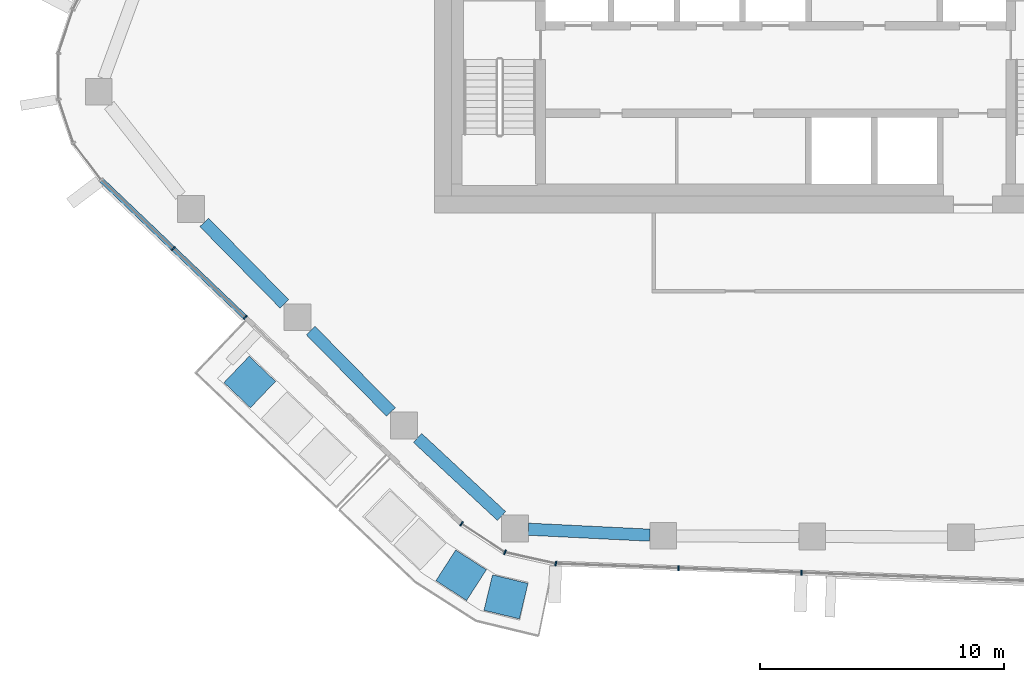
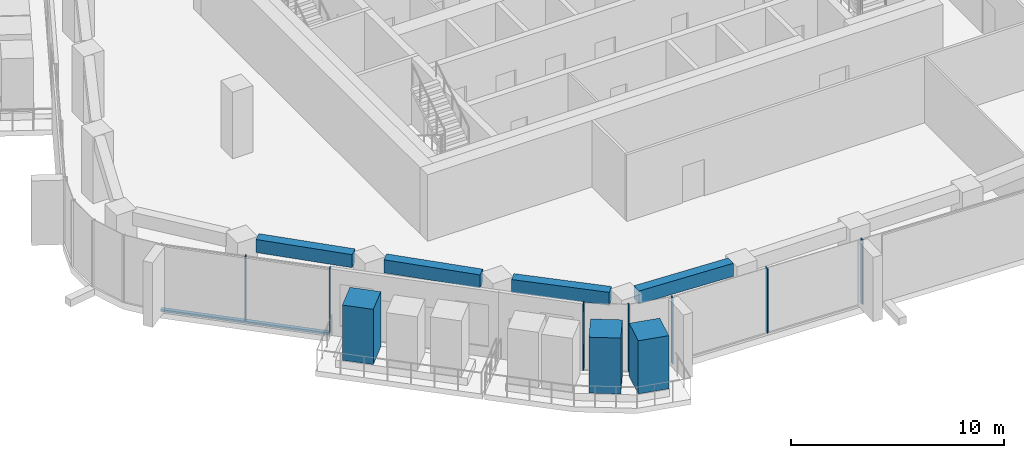
# One storey, part 2 of 21: 11 members, 4 beams, 3 elements without a shape of their own.
"""IFC4 building model written with IfcOpenShell, lengths in metres."""

from ifc_helpers import new_model, si_unit, direction, frame, origin, origin_2d, place, context, subcontext, project, spatial, rectangle, extrude, material, layer, layer_set, material_profile, profile_set, type_object, element, aggregate, save


model = new_model("IFC4")

# Units and contexts
model_context = context("Model", 3, precision=1e-05, world=origin(), true_north=direction((0.0, 1.0)))
body_context = subcontext(model_context, "Body", "Model", "MODEL_VIEW")
ifc_project = project(units=[si_unit("LENGTHUNIT", "METRE"), si_unit("AREAUNIT", "SQUARE_METRE"), si_unit("VOLUMEUNIT", "CUBIC_METRE"), si_unit("PLANEANGLEUNIT", "RADIAN"), si_unit("MASSUNIT", "GRAM", prefix="KILO")], contexts=[model_context])

# Site, building, storey
site_placement = place(None, origin())
site = spatial("IfcSite", under=ifc_project, at=site_placement, CompositionType="ELEMENT")
building_placement = place(site_placement, origin())
building = spatial("IfcBuilding", under=site, at=building_placement, Name="Dongbaek Canopy Tower", CompositionType="ELEMENT")
storey_placement = place(building_placement, frame((0.0, 0.0, 270.60009765625)))
storey = spatial("IfcBuildingStorey", under=building, at=storey_placement, Name="L57", CompositionType="ELEMENT", Elevation=270.60009765625)

# Curtain wall, members
ifc_material_1 = material(Name="Aluminium 6063-T6 pale anodised", Category="aluminium")
ifc_layer = layer(ifc_material_1, 0.199951171875)
ifc_layer_set = layer_set([ifc_layer], Name="CW-1 unitised tower curtain wall")
curtain_wall_type = type_object("IfcCurtainWallType", Name="CW-1 unitised tower curtain wall", PredefinedType="NOTDEFINED", material=ifc_layer_set)
curtain_wall_1_placement = place(storey_placement, origin())
curtain_wall_1 = element("IfcCurtainWall", 1, at=curtain_wall_1_placement, inside=storey, type_object=curtain_wall_type, Name="CW-1 curtain wall F3.1", PredefinedType="NOTDEFINED")
ifc_material_2 = material(Name="Aluminium 6063-T6 pale anodised", Category="aluminium")
ifc_material_profile_1 = material_profile(ifc_material_2, rectangle(XDim=0.199951171875, YDim=0.06005859375, at=origin_2d()), Name="CW-1 mullion 60 x 200")
ifc_profile_set_1 = profile_set([ifc_material_profile_1], Name="Aluminium 6063-T6 pale anodised")
member_type_1 = type_object("IfcMemberType", Name="CW-1 mullion 60 x 200", PredefinedType="MULLION", material=ifc_profile_set_1)
member_1_placement = place(storey_placement, frame((-24.727294921875, -12.45458984375, 0.119873046875), z_axis=(0.0, 0.0, 1.0), x_axis=(-0.690481624386, -0.723349933562, 0.0)))
member_1 = element("IfcMember", 2, at=member_1_placement, type_object=member_type_1, Name="CW-1 mullion F3.1.2", PredefinedType="MULLION", context=body_context, shape_type="SweptSolid", body=[
    extrude(rectangle(XDim=0.199951171875, YDim=0.06005859375, at=origin_2d()), origin(), (0.0, 0.0, 1.0), 3.699951171875),
])
member_2_placement = place(storey_placement, frame((-21.767333984375, -15.2802734375, 0.119873046875), z_axis=(0.0, 0.0, 1.0), x_axis=(-0.690481624386, -0.723349933562, 0.0)))
member_2 = element("IfcMember", 3, at=member_2_placement, type_object=member_type_1, Name="CW-1 mullion F3.1.3", PredefinedType="MULLION", context=body_context, shape_type="SweptSolid", body=[
    extrude(rectangle(XDim=0.199951171875, YDim=0.06005859375, at=origin_2d()), origin(), (0.0, 0.0, 1.0), 3.699951171875),
])

curtain_wall_2_placement = place(storey_placement, origin())
curtain_wall_2 = element("IfcCurtainWall", 4, at=curtain_wall_2_placement, inside=storey, type_object=curtain_wall_type, Name="CW-1 curtain wall K4.1", PredefinedType="NOTDEFINED")
member_3_placement = place(storey_placement, frame((-12.8935546875, -23.750732421875, 0.0), z_axis=(0.0, 0.0, 1.0), x_axis=(-0.548723498624, -0.836003900743, 0.0)))
member_3 = element("IfcMember", 5, at=member_3_placement, type_object=member_type_1, Name="CW-1 mullion K4.1.1", PredefinedType="MULLION", context=body_context, shape_type="SweptSolid", body=[
    extrude(rectangle(XDim=0.199951171875, YDim=0.06005859375, at=origin_2d()), origin(), (0.0, 0.0, 1.0), 3.81982421875),
])
member_4_placement = place(storey_placement, frame((-11.107421875, -24.923095703125, 0.0), z_axis=(0.0, 0.0, 1.0), x_axis=(-0.388974769199, -0.921248407828, 0.0)))
member_4 = element("IfcMember", 6, at=member_4_placement, type_object=member_type_1, Name="CW-1 mullion K4.1.2", PredefinedType="MULLION", context=body_context, shape_type="SweptSolid", body=[
    extrude(rectangle(XDim=0.199951171875, YDim=0.06005859375, at=origin_2d()), origin(), (0.0, 0.0, 1.0), 3.81982421875),
])
member_5_placement = place(storey_placement, frame((-9.021484375, -25.385498046875, 0.0), z_axis=(0.0, 0.0, 1.0), x_axis=(-0.216473003073, -0.976288604328, 0.0)))
member_5 = element("IfcMember", 7, at=member_5_placement, type_object=member_type_1, Name="CW-1 mullion K4.1.3", PredefinedType="MULLION", context=body_context, shape_type="SweptSolid", body=[
    extrude(rectangle(XDim=0.199951171875, YDim=0.06005859375, at=origin_2d()), origin(), (0.0, 0.0, 1.0), 3.81982421875),
])
aggregate(curtain_wall_2, [member_3, member_4, member_5])

curtain_wall_3_placement = place(storey_placement, origin())
curtain_wall_3 = element("IfcCurtainWall", 8, at=curtain_wall_3_placement, inside=storey, type_object=curtain_wall_type, Name="CW-1 curtain wall F4.1", PredefinedType="NOTDEFINED")
member_6_placement = place(storey_placement, frame((-3.981689453125, -25.571533203125, 0.119873046875), z_axis=(0.0, 0.0, 1.0), x_axis=(-0.036873891921, -0.999319926798, 0.0)))
member_6 = element("IfcMember", 9, at=member_6_placement, type_object=member_type_1, Name="CW-1 mullion F4.1.2", PredefinedType="MULLION", context=body_context, shape_type="SweptSolid", body=[
    extrude(rectangle(XDim=0.199951171875, YDim=0.06005859375, at=origin_2d()), origin(), (0.0, 0.0, 1.0), 3.699951171875),
])
member_7_placement = place(storey_placement, frame((1.067138671875, -25.7578125, 0.119873046875), z_axis=(0.0, 0.0, 1.0), x_axis=(-0.036873891921, -0.999319926798, 0.0)))
member_7 = element("IfcMember", 10, at=member_7_placement, type_object=member_type_1, Name="CW-1 mullion F4.1.3", PredefinedType="MULLION", context=body_context, shape_type="SweptSolid", body=[
    extrude(rectangle(XDim=0.199951171875, YDim=0.06005859375, at=origin_2d()), origin(), (0.0, 0.0, 1.0), 3.699951171875),
])
aggregate(curtain_wall_3, [member_6, member_7])

# Member
ifc_material_3 = material(Name="Aluminium 6063-T6 pale anodised", Category="aluminium")
ifc_material_profile_2 = material_profile(ifc_material_3, rectangle(XDim=0.199951171875, YDim=0.1201171875, at=origin_2d()), Name="CW-1 transom 120 x 200")
ifc_profile_set_2 = profile_set([ifc_material_profile_2], Name="Aluminium 6063-T6 pale anodised")
member_type_2 = type_object("IfcMemberType", Name="CW-1 transom 120 x 200", PredefinedType="USERDEFINED", material=ifc_profile_set_2)
member_8_placement = place(storey_placement, frame((-27.681640625, -9.634521484375, 0.059814453125), z_axis=(0.723338596824, -0.690493500581, 0.0), x_axis=(0.690493500581, 0.723338596824, 0.0)))
member_8 = element("IfcMember", 11, at=member_8_placement, type_object=member_type_2, Name="CW-1 transom F3.1.1", ObjectType="TRANSOM", PredefinedType="USERDEFINED", context=body_context, shape_type="SweptSolid", body=[
    extrude(rectangle(XDim=0.199951171875, YDim=0.1201171875, at=origin_2d()), origin(), (0.0, 0.0, 1.0), 8.176513671875),
])

aggregate(curtain_wall_1, [member_1, member_2, member_8])

# Beams
ifc_material_4 = material(Name="Concrete C70", Category="concrete")
ifc_material_profile_3 = material_profile(ifc_material_4, rectangle(XDim=0.5, YDim=0.75, at=origin_2d()), Name="RC EDGE BEAM 500x750 C70")
ifc_profile_set_3 = profile_set([ifc_material_profile_3], Name="Concrete C70")
beam_type = type_object("IfcBeamType", Name="RC EDGE BEAM 500x750 C70", PredefinedType="BEAM", material=ifc_profile_set_3)
beam_1_placement = place(storey_placement, frame((-5.160888671875, -24.218994140625, 3.44482421875), z_axis=(-0.998786614333, 0.049247325106, 0.0), x_axis=(-0.049247325106, -0.998786614333, 0.0)))
element("IfcBeam", 12, at=beam_1_placement, inside=storey, type_object=beam_type, Name="EDGEBEAM:L57:03", PredefinedType="BEAM", context=body_context, shape_type="SweptSolid", body=[
    extrude(rectangle(XDim=0.5, YDim=0.75, at=origin_2d()), origin(), (0.0, 0.0, 1.0), 4.9921875),
])
beam_2_placement = place(storey_placement, frame((-11.2470703125, -23.434326171875, 3.44482421875), z_axis=(-0.732241423494, 0.681045151014, 0.0), x_axis=(-0.681045151014, -0.732241423494, 0.0)))
element("IfcBeam", 13, at=beam_2_placement, inside=storey, type_object=beam_type, Name="EDGEBEAM:L57:04", PredefinedType="BEAM", context=body_context, shape_type="SweptSolid", body=[
    extrude(rectangle(XDim=0.5, YDim=0.75, at=origin_2d()), origin(), (0.0, 0.0, 1.0), 4.71142578125),
])
beam_3_placement = place(storey_placement, frame((-15.788818359375, -19.1640625, 3.44482421875), z_axis=(-0.701699383964, 0.712473139525, 0.0), x_axis=(-0.712473139525, -0.701699383964, 0.0)))
element("IfcBeam", 14, at=beam_3_placement, inside=storey, type_object=beam_type, Name="EDGEBEAM:L57:05", PredefinedType="BEAM", context=body_context, shape_type="SweptSolid", body=[
    extrude(rectangle(XDim=0.5, YDim=0.75, at=origin_2d()), origin(), (0.0, 0.0, 1.0), 4.690673828125),
])
beam_4_placement = place(storey_placement, frame((-20.16357421875, -14.721923828125, 3.44482421875), z_axis=(-0.701621732034, 0.712549608896, 0.0), x_axis=(-0.712549608896, -0.701621732034, 0.0)))
element("IfcBeam", 15, at=beam_4_placement, inside=storey, type_object=beam_type, Name="EDGEBEAM:L57:06", PredefinedType="BEAM", context=body_context, shape_type="SweptSolid", body=[
    extrude(rectangle(XDim=0.5, YDim=0.75, at=origin_2d()), origin(), (0.0, 0.0, 1.0), 4.691650390625),
])

# Members
ifc_material_5 = material(Name="Concrete C40/50 planter mass with planting", Category="concrete")
ifc_material_profile_4 = material_profile(ifc_material_5, rectangle(XDim=1.5, YDim=1.5, at=origin_2d()), Name="Terrace PLANTER shrub mass 1500 x 1500")
ifc_profile_set_4 = profile_set([ifc_material_profile_4], Name="Concrete C40/50 planter mass with planting")
member_type_3 = type_object("IfcMemberType", Name="Terrace PLANTER shrub mass 1500 x 1500", PredefinedType="USERDEFINED", material=ifc_profile_set_4)
member_9_placement = place(storey_placement, frame((-21.58251953125, -17.93115234375, 0.419921875), z_axis=(0.0, 0.0, 1.0), x_axis=(-0.690481624386, -0.723349933562, 0.0)))
element("IfcMember", 16, at=member_9_placement, inside=storey, type_object=member_type_3, Name="Planter shrubs L57 2.1", ObjectType="PLANTER", PredefinedType="USERDEFINED", context=body_context, shape_type="SweptSolid", body=[
    extrude(rectangle(XDim=1.5, YDim=1.5, at=origin_2d()), origin(), (0.0, 0.0, 1.0), 3.169921875),
])
member_10_placement = place(storey_placement, frame((-12.906005859375, -25.863037109375, 0.419921875), z_axis=(0.0, 0.0, 1.0), x_axis=(-0.542085208998, -0.840323524713, 0.0)))
element("IfcMember", 17, at=member_10_placement, inside=storey, type_object=member_type_3, Name="Planter shrubs L57 6.3", ObjectType="PLANTER", PredefinedType="USERDEFINED", context=body_context, shape_type="SweptSolid", body=[
    extrude(rectangle(XDim=1.5, YDim=1.5, at=origin_2d()), origin(), (0.0, 0.0, 1.0), 3.2099609375),
])
member_11_placement = place(storey_placement, frame((-11.06591796875, -26.75146484375, 0.419921875), z_axis=(0.0, 0.0, 1.0), x_axis=(-0.234244066355, -0.972177821891, 0.0)))
element("IfcMember", 18, at=member_11_placement, inside=storey, type_object=member_type_3, Name="Planter shrubs L57 6.4", ObjectType="PLANTER", PredefinedType="USERDEFINED", context=body_context, shape_type="SweptSolid", body=[
    extrude(rectangle(XDim=1.5, YDim=1.5, at=origin_2d()), origin(), (0.0, 0.0, 1.0), 3.050048828125),
])

save(model, "model.ifc")
